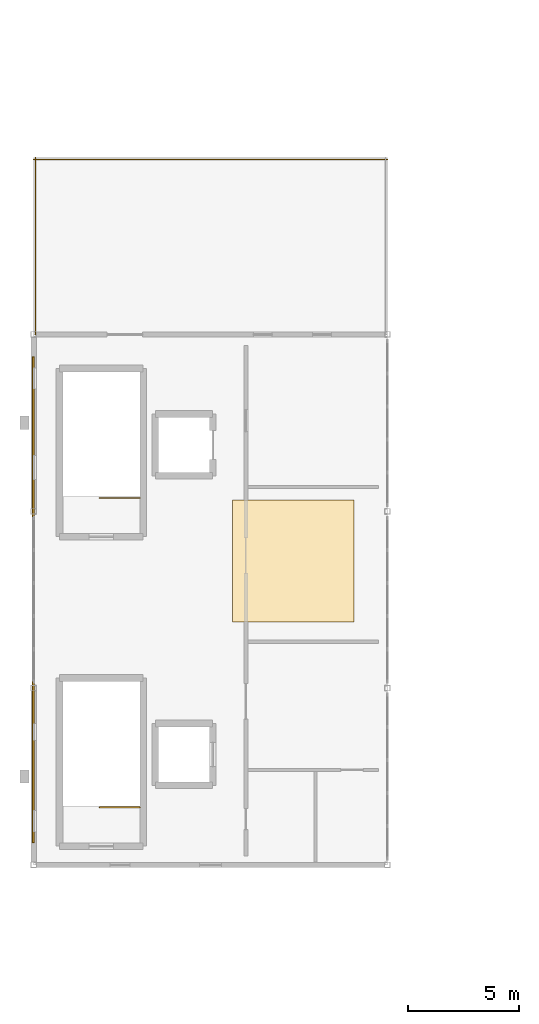
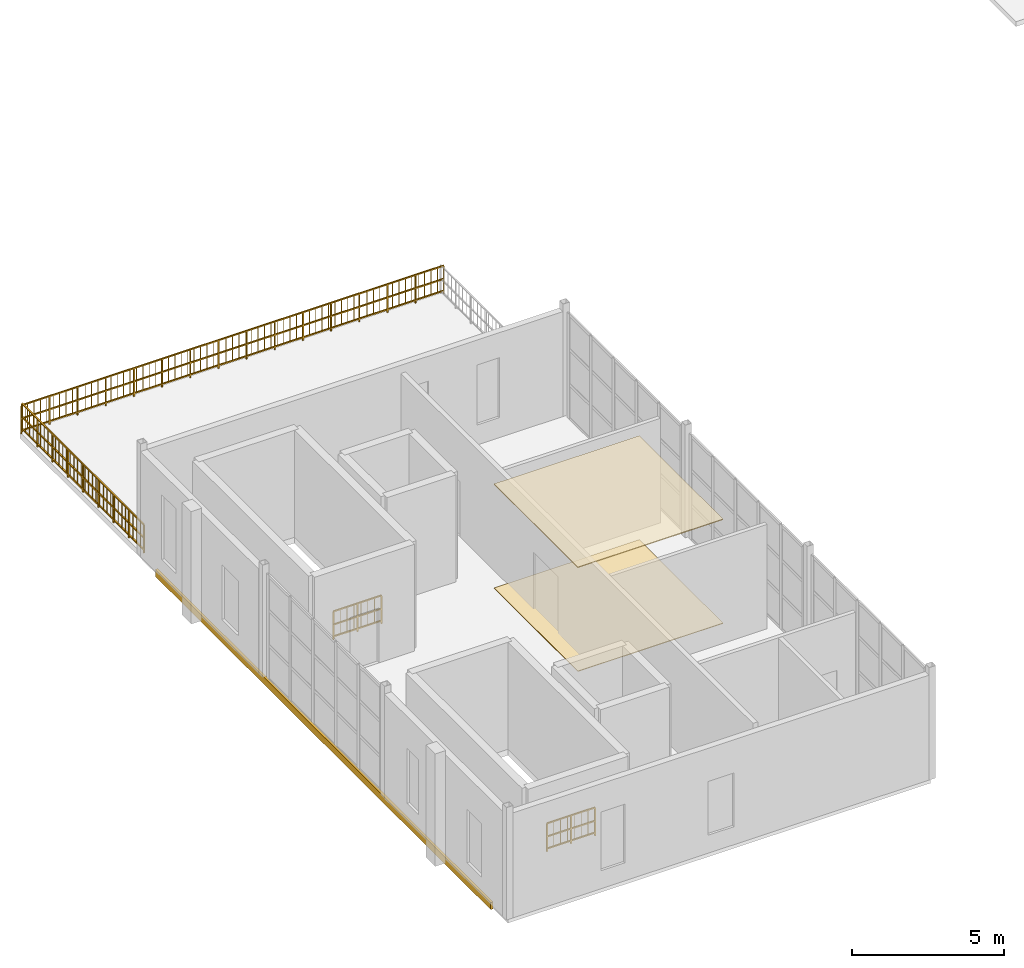
# One storey, part 8 of 9: 4 railings, 3 coverings.
"""IFC4 building model written with IfcOpenShell, lengths in metres."""

from ifc_helpers import new_model, si_unit, direction, frame, origin, origin_2d, place, context, subcontext, project, spatial, polyline, rectangle, outline, extrude, material, layer, layer_set, type_object, element, save


model = new_model("IFC4")

# Units and contexts
model_context = context("Model", 3, precision=1e-05, world=origin(), true_north=direction((0.0, 1.0)))
body_context = subcontext(model_context, "Body", "Model", "MODEL_VIEW")
ifc_project = project(units=[si_unit("LENGTHUNIT", "METRE"), si_unit("AREAUNIT", "SQUARE_METRE"), si_unit("VOLUMEUNIT", "CUBIC_METRE"), si_unit("PLANEANGLEUNIT", "RADIAN"), si_unit("MASSUNIT", "GRAM", prefix="KILO")], contexts=[model_context])

# Site, building, storey
site_placement = place(None, origin())
site = spatial("IfcSite", under=ifc_project, at=site_placement, CompositionType="ELEMENT")
building_placement = place(site_placement, origin())
building = spatial("IfcBuilding", under=site, at=building_placement, Name="Serraluz Foothill Cableway Terminal", CompositionType="ELEMENT")
storey_placement = place(building_placement, frame((0.0, 0.0, 19.800048828125)))
storey = spatial("IfcBuildingStorey", under=building, at=storey_placement, Name="L04", CompositionType="ELEMENT", Elevation=19.800048828125)

# Coverings
ifc_material_1 = material(Name="Perforated acoustic mineral and timber ceiling", Category="wood")
ifc_layer_1 = layer(ifc_material_1, 0.034912109375, Name="Perforated acoustic mineral and timber ceiling", Category="wood")
ifc_layer_set_1 = layer_set([ifc_layer_1], Name="Perforated acoustic mineral and timber ceiling")
covering_type_1 = type_object("IfcCoveringType", Name="TYP-COV-CEIL-35", PredefinedType="CEILING", material=ifc_layer_set_1)
covering_1_placement = place(storey_placement, frame((0.0, 0.0, 4.154052734375)))
element("IfcCovering", 1, at=covering_1_placement, inside=storey, type_object=covering_type_1, Name="Suspended Acoustic Ceiling 12", PredefinedType="CEILING", context=body_context, shape_type="SweptSolid", body=[
    extrude(outline(polyline([(9.0, 48.5), (14.5, 48.5), (14.5, 43.0), (9.0, 43.0), (9.0, 48.5)])), origin(), (0.0, 0.0, 1.0), 0.034912109375),
])
ifc_material_2 = material(Name="Fired clay masonry brick (f'm 12 MPa)", Category="masonry")
ifc_layer_2 = layer(ifc_material_2, 0.090087890625, Name="Fired clay masonry brick (f'm 12 MPa)", Category="masonry")
ifc_layer_set_2 = layer_set([ifc_layer_2], Name="Fired clay masonry brick (f'm 12 MPa)")
covering_type_2 = type_object("IfcCoveringType", Name="TYP-COV-CLAD-90", PredefinedType="CLADDING", material=ifc_layer_set_2)
covering_2_placement = place(storey_placement, frame((-0.030029296875, 44.0, -0.2802734375), z_axis=(0.0, 0.0, 1.0), x_axis=(0.0, 1.0, 0.0)))
element("IfcCovering", 2, at=covering_2_placement, inside=storey, type_object=covering_type_2, Name="Terracotta Spandrel Relief Band COV-CLAD-V5W-4", PredefinedType="CLADDING", context=body_context, shape_type="SweptSolid", body=[
    extrude(rectangle(XDim=22.0, YDim=0.090087890625, at=origin_2d()), origin(), (0.0, 0.0, 1.0), 0.280029296875),
])
ifc_material_3 = material(Name="Honed basalt and terrazzo floor finish", Category="masonry")
ifc_layer_3 = layer(ifc_material_3, 0.02490234375, Name="Honed basalt and terrazzo floor finish", Category="masonry")
ifc_layer_set_3 = layer_set([ifc_layer_3], Name="Honed basalt and terrazzo floor finish")
covering_type_3 = type_object("IfcCoveringType", Name="TYP-COV-FLR-25", PredefinedType="FLOORING", material=ifc_layer_set_3)
covering_3_placement = place(storey_placement, origin())
element("IfcCovering", 3, at=covering_3_placement, inside=storey, type_object=covering_type_3, Name="Terrazzo Concourse Flooring 12", PredefinedType="FLOORING", context=body_context, shape_type="SweptSolid", body=[
    extrude(outline(polyline([(9.0, 43.0), (14.5, 43.0), (14.5, 48.5), (9.0, 48.5), (9.0, 43.0)])), origin(), (0.0, 0.0, 1.0), 0.02490234375),
])

# Railings
ifc_material_4 = material(Name="Steel ASTM A572 Grade 50", Category="steel")
ifc_layer_4 = layer(ifc_material_4, 0.06005859375, Name="Steel ASTM A572 Grade 50", Category="steel")
ifc_layer_set_4 = layer_set([ifc_layer_4], Name="Steel ASTM A572 Grade 50")
railing_type_1 = type_object("IfcRailingType", Name="TYP-RL-BAL-1150", PredefinedType="BALUSTRADE", material=ifc_layer_set_4)
railing_1_placement = place(storey_placement, frame((16.0, 63.919921875, 0.0)))
element("IfcRailing", 4, at=railing_1_placement, inside=storey, type_object=railing_type_1, Name="BALUSTRADE BAL-TER-L04-V5-2", PredefinedType="BALUSTRADE", context=body_context, shape_type="SweptSolid", body=[
    extrude(rectangle(XDim=0.048095703125, YDim=0.048095703125, at=origin_2d()), frame((0.0, 0.0, 1.1259765625), z_axis=(-1.0, 0.0, 0.0), x_axis=(0.0, -1.0, 0.0)), (0.0, 0.0, 1.0), 16.0),
    extrude(rectangle(XDim=0.048095703125, YDim=0.048095703125, at=origin_2d()), frame((0.0, 0.0, 0.597900390625), z_axis=(-1.0, 0.0, 0.0), x_axis=(0.0, -1.0, 0.0)), (0.0, 0.0, 1.0), 16.0),
    extrude(rectangle(XDim=0.048095703125, YDim=0.048095703125, at=origin_2d()), frame((0.0, 0.0, 0.1201171875), z_axis=(-1.0, 0.0, 0.0), x_axis=(0.0, -1.0, 0.0)), (0.0, 0.0, 1.0), 16.0),
    extrude(rectangle(XDim=0.02001953125, YDim=0.02001953125, at=origin_2d()), frame((-0.242431640625, 0.0, 0.1201171875)), (0.0, 0.0, 1.0), 0.981689453125),
    extrude(rectangle(XDim=0.02001953125, YDim=0.02001953125, at=origin_2d()), frame((-0.48486328125, 0.0, 0.1201171875)), (0.0, 0.0, 1.0), 0.981689453125),
    extrude(rectangle(XDim=0.02001953125, YDim=0.02001953125, at=origin_2d()), frame((-0.727294921875, 0.0, 0.1201171875)), (0.0, 0.0, 1.0), 0.981689453125),
    extrude(rectangle(XDim=0.02001953125, YDim=0.02001953125, at=origin_2d()), frame((-0.9697265625, 0.0, 0.1201171875)), (0.0, 0.0, 1.0), 0.981689453125),
    extrude(rectangle(XDim=0.02001953125, YDim=0.02001953125, at=origin_2d()), frame((-1.212158203125, 0.0, 0.1201171875)), (0.0, 0.0, 1.0), 0.981689453125),
    extrude(rectangle(XDim=0.02001953125, YDim=0.02001953125, at=origin_2d()), frame((-1.45458984375, 0.0, 0.1201171875)), (0.0, 0.0, 1.0), 0.981689453125),
    extrude(rectangle(XDim=0.02001953125, YDim=0.02001953125, at=origin_2d()), frame((-1.697021484375, 0.0, 0.1201171875)), (0.0, 0.0, 1.0), 0.981689453125),
    extrude(rectangle(XDim=0.02001953125, YDim=0.02001953125, at=origin_2d()), frame((-1.939453125, 0.0, 0.1201171875)), (0.0, 0.0, 1.0), 0.981689453125),
    extrude(rectangle(XDim=0.02001953125, YDim=0.02001953125, at=origin_2d()), frame((-2.42431640625, 0.0, 0.1201171875)), (0.0, 0.0, 1.0), 0.981689453125),
    extrude(rectangle(XDim=0.02001953125, YDim=0.02001953125, at=origin_2d()), frame((-2.666748046875, 0.0, 0.1201171875)), (0.0, 0.0, 1.0), 0.981689453125),
    extrude(rectangle(XDim=0.02001953125, YDim=0.02001953125, at=origin_2d()), frame((-2.9091796875, 0.0, 0.1201171875)), (0.0, 0.0, 1.0), 0.981689453125),
    extrude(rectangle(XDim=0.02001953125, YDim=0.02001953125, at=origin_2d()), frame((-3.39404296875, 0.0, 0.1201171875)), (0.0, 0.0, 1.0), 0.981689453125),
    extrude(rectangle(XDim=0.02001953125, YDim=0.02001953125, at=origin_2d()), frame((-3.636474609375, 0.0, 0.1201171875)), (0.0, 0.0, 1.0), 0.981689453125),
    extrude(rectangle(XDim=0.02001953125, YDim=0.02001953125, at=origin_2d()), frame((-3.87890625, 0.0, 0.1201171875)), (0.0, 0.0, 1.0), 0.981689453125),
    extrude(rectangle(XDim=0.02001953125, YDim=0.02001953125, at=origin_2d()), frame((-4.12109375, 0.0, 0.1201171875)), (0.0, 0.0, 1.0), 0.981689453125),
    extrude(rectangle(XDim=0.02001953125, YDim=0.02001953125, at=origin_2d()), frame((-4.363525390625, 0.0, 0.1201171875)), (0.0, 0.0, 1.0), 0.981689453125),
    extrude(rectangle(XDim=0.02001953125, YDim=0.02001953125, at=origin_2d()), frame((-4.60595703125, 0.0, 0.1201171875)), (0.0, 0.0, 1.0), 0.981689453125),
    extrude(rectangle(XDim=0.02001953125, YDim=0.02001953125, at=origin_2d()), frame((-4.848388671875, 0.0, 0.1201171875)), (0.0, 0.0, 1.0), 0.981689453125),
    extrude(rectangle(XDim=0.02001953125, YDim=0.02001953125, at=origin_2d()), frame((-5.0908203125, 0.0, 0.1201171875)), (0.0, 0.0, 1.0), 0.981689453125),
    extrude(rectangle(XDim=0.02001953125, YDim=0.02001953125, at=origin_2d()), frame((-5.57568359375, 0.0, 0.1201171875)), (0.0, 0.0, 1.0), 0.981689453125),
    extrude(rectangle(XDim=0.02001953125, YDim=0.02001953125, at=origin_2d()), frame((-5.818115234375, 0.0, 0.1201171875)), (0.0, 0.0, 1.0), 0.981689453125),
    extrude(rectangle(XDim=0.02001953125, YDim=0.02001953125, at=origin_2d()), frame((-6.060546875, 0.0, 0.1201171875)), (0.0, 0.0, 1.0), 0.981689453125),
    extrude(rectangle(XDim=0.02001953125, YDim=0.02001953125, at=origin_2d()), frame((-6.302978515625, 0.0, 0.1201171875)), (0.0, 0.0, 1.0), 0.981689453125),
    extrude(rectangle(XDim=0.02001953125, YDim=0.02001953125, at=origin_2d()), frame((-6.54541015625, 0.0, 0.1201171875)), (0.0, 0.0, 1.0), 0.981689453125),
    extrude(rectangle(XDim=0.02001953125, YDim=0.02001953125, at=origin_2d()), frame((-6.787841796875, 0.0, 0.1201171875)), (0.0, 0.0, 1.0), 0.981689453125),
    extrude(rectangle(XDim=0.02001953125, YDim=0.02001953125, at=origin_2d()), frame((-7.0302734375, 0.0, 0.1201171875)), (0.0, 0.0, 1.0), 0.981689453125),
    extrude(rectangle(XDim=0.02001953125, YDim=0.02001953125, at=origin_2d()), frame((-7.272705078125, 0.0, 0.1201171875)), (0.0, 0.0, 1.0), 0.981689453125),
    extrude(rectangle(XDim=0.02001953125, YDim=0.02001953125, at=origin_2d()), frame((-7.757568359375, 0.0, 0.1201171875)), (0.0, 0.0, 1.0), 0.981689453125),
    extrude(rectangle(XDim=0.02001953125, YDim=0.02001953125, at=origin_2d()), frame((-8.0, 0.0, 0.1201171875)), (0.0, 0.0, 1.0), 0.981689453125),
    extrude(rectangle(XDim=0.02001953125, YDim=0.02001953125, at=origin_2d()), frame((-8.242431640625, 0.0, 0.1201171875)), (0.0, 0.0, 1.0), 0.981689453125),
    extrude(rectangle(XDim=0.02001953125, YDim=0.02001953125, at=origin_2d()), frame((-8.727294921875, 0.0, 0.1201171875)), (0.0, 0.0, 1.0), 0.981689453125),
    extrude(rectangle(XDim=0.02001953125, YDim=0.02001953125, at=origin_2d()), frame((-8.9697265625, 0.0, 0.1201171875)), (0.0, 0.0, 1.0), 0.981689453125),
    extrude(rectangle(XDim=0.02001953125, YDim=0.02001953125, at=origin_2d()), frame((-9.212158203125, 0.0, 0.1201171875)), (0.0, 0.0, 1.0), 0.981689453125),
    extrude(rectangle(XDim=0.02001953125, YDim=0.02001953125, at=origin_2d()), frame((-9.45458984375, 0.0, 0.1201171875)), (0.0, 0.0, 1.0), 0.981689453125),
    extrude(rectangle(XDim=0.02001953125, YDim=0.02001953125, at=origin_2d()), frame((-9.697021484375, 0.0, 0.1201171875)), (0.0, 0.0, 1.0), 0.981689453125),
    extrude(rectangle(XDim=0.02001953125, YDim=0.02001953125, at=origin_2d()), frame((-9.939453125, 0.0, 0.1201171875)), (0.0, 0.0, 1.0), 0.981689453125),
    extrude(rectangle(XDim=0.02001953125, YDim=0.02001953125, at=origin_2d()), frame((-10.181884765625, 0.0, 0.1201171875)), (0.0, 0.0, 1.0), 0.981689453125),
    extrude(rectangle(XDim=0.02001953125, YDim=0.02001953125, at=origin_2d()), frame((-10.42431640625, 0.0, 0.1201171875)), (0.0, 0.0, 1.0), 0.981689453125),
    extrude(rectangle(XDim=0.02001953125, YDim=0.02001953125, at=origin_2d()), frame((-10.9091796875, 0.0, 0.1201171875)), (0.0, 0.0, 1.0), 0.981689453125),
    extrude(rectangle(XDim=0.02001953125, YDim=0.02001953125, at=origin_2d()), frame((-11.151611328125, 0.0, 0.1201171875)), (0.0, 0.0, 1.0), 0.981689453125),
    extrude(rectangle(XDim=0.02001953125, YDim=0.02001953125, at=origin_2d()), frame((-11.39404296875, 0.0, 0.1201171875)), (0.0, 0.0, 1.0), 0.981689453125),
    extrude(rectangle(XDim=0.02001953125, YDim=0.02001953125, at=origin_2d()), frame((-11.636474609375, 0.0, 0.1201171875)), (0.0, 0.0, 1.0), 0.981689453125),
    extrude(rectangle(XDim=0.02001953125, YDim=0.02001953125, at=origin_2d()), frame((-11.87890625, 0.0, 0.1201171875)), (0.0, 0.0, 1.0), 0.981689453125),
    extrude(rectangle(XDim=0.02001953125, YDim=0.02001953125, at=origin_2d()), frame((-12.12109375, 0.0, 0.1201171875)), (0.0, 0.0, 1.0), 0.981689453125),
    extrude(rectangle(XDim=0.02001953125, YDim=0.02001953125, at=origin_2d()), frame((-12.363525390625, 0.0, 0.1201171875)), (0.0, 0.0, 1.0), 0.981689453125),
    extrude(rectangle(XDim=0.02001953125, YDim=0.02001953125, at=origin_2d()), frame((-12.60595703125, 0.0, 0.1201171875)), (0.0, 0.0, 1.0), 0.981689453125),
    extrude(rectangle(XDim=0.02001953125, YDim=0.02001953125, at=origin_2d()), frame((-13.0908203125, 0.0, 0.1201171875)), (0.0, 0.0, 1.0), 0.981689453125),
    extrude(rectangle(XDim=0.02001953125, YDim=0.02001953125, at=origin_2d()), frame((-13.333251953125, 0.0, 0.1201171875)), (0.0, 0.0, 1.0), 0.981689453125),
    extrude(rectangle(XDim=0.02001953125, YDim=0.02001953125, at=origin_2d()), frame((-13.57568359375, 0.0, 0.1201171875)), (0.0, 0.0, 1.0), 0.981689453125),
    extrude(rectangle(XDim=0.02001953125, YDim=0.02001953125, at=origin_2d()), frame((-14.060546875, 0.0, 0.1201171875)), (0.0, 0.0, 1.0), 0.981689453125),
    extrude(rectangle(XDim=0.02001953125, YDim=0.02001953125, at=origin_2d()), frame((-14.302978515625, 0.0, 0.1201171875)), (0.0, 0.0, 1.0), 0.981689453125),
    extrude(rectangle(XDim=0.02001953125, YDim=0.02001953125, at=origin_2d()), frame((-14.54541015625, 0.0, 0.1201171875)), (0.0, 0.0, 1.0), 0.981689453125),
    extrude(rectangle(XDim=0.02001953125, YDim=0.02001953125, at=origin_2d()), frame((-14.787841796875, 0.0, 0.1201171875)), (0.0, 0.0, 1.0), 0.981689453125),
    extrude(rectangle(XDim=0.02001953125, YDim=0.02001953125, at=origin_2d()), frame((-15.0302734375, 0.0, 0.1201171875)), (0.0, 0.0, 1.0), 0.981689453125),
    extrude(rectangle(XDim=0.02001953125, YDim=0.02001953125, at=origin_2d()), frame((-15.272705078125, 0.0, 0.1201171875)), (0.0, 0.0, 1.0), 0.981689453125),
    extrude(rectangle(XDim=0.02001953125, YDim=0.02001953125, at=origin_2d()), frame((-15.51513671875, 0.0, 0.1201171875)), (0.0, 0.0, 1.0), 0.981689453125),
    extrude(rectangle(XDim=0.02001953125, YDim=0.02001953125, at=origin_2d()), frame((-15.757568359375, 0.0, 0.1201171875)), (0.0, 0.0, 1.0), 0.981689453125),
    extrude(rectangle(XDim=0.0439453125, YDim=0.0439453125, at=origin_2d()), origin(), (0.0, 0.0, 1.0), 1.101806640625),
    extrude(rectangle(XDim=0.0439453125, YDim=0.0439453125, at=origin_2d()), frame((-1.066650390625, 0.0, 0.0)), (0.0, 0.0, 1.0), 1.101806640625),
    extrude(rectangle(XDim=0.0439453125, YDim=0.0439453125, at=origin_2d()), frame((-2.13330078125, 0.0, 0.0)), (0.0, 0.0, 1.0), 1.101806640625),
    extrude(rectangle(XDim=0.0439453125, YDim=0.0439453125, at=origin_2d()), frame((-3.199951171875, 0.0, 0.0)), (0.0, 0.0, 1.0), 1.101806640625),
    extrude(rectangle(XDim=0.0439453125, YDim=0.0439453125, at=origin_2d()), frame((-4.2666015625, 0.0, 0.0)), (0.0, 0.0, 1.0), 1.101806640625),
    extrude(rectangle(XDim=0.0439453125, YDim=0.0439453125, at=origin_2d()), frame((-5.333251953125, 0.0, 0.0)), (0.0, 0.0, 1.0), 1.101806640625),
    extrude(rectangle(XDim=0.0439453125, YDim=0.0439453125, at=origin_2d()), frame((-6.39990234375, 0.0, 0.0)), (0.0, 0.0, 1.0), 1.101806640625),
    extrude(rectangle(XDim=0.0439453125, YDim=0.0439453125, at=origin_2d()), frame((-7.466552734375, 0.0, 0.0)), (0.0, 0.0, 1.0), 1.101806640625),
    extrude(rectangle(XDim=0.0439453125, YDim=0.0439453125, at=origin_2d()), frame((-8.533447265625, 0.0, 0.0)), (0.0, 0.0, 1.0), 1.101806640625),
    extrude(rectangle(XDim=0.0439453125, YDim=0.0439453125, at=origin_2d()), frame((-9.60009765625, 0.0, 0.0)), (0.0, 0.0, 1.0), 1.101806640625),
    extrude(rectangle(XDim=0.0439453125, YDim=0.0439453125, at=origin_2d()), frame((-10.666748046875, 0.0, 0.0)), (0.0, 0.0, 1.0), 1.101806640625),
    extrude(rectangle(XDim=0.0439453125, YDim=0.0439453125, at=origin_2d()), frame((-11.7333984375, 0.0, 0.0)), (0.0, 0.0, 1.0), 1.101806640625),
    extrude(rectangle(XDim=0.0439453125, YDim=0.0439453125, at=origin_2d()), frame((-12.800048828125, 0.0, 0.0)), (0.0, 0.0, 1.0), 1.101806640625),
    extrude(rectangle(XDim=0.0439453125, YDim=0.0439453125, at=origin_2d()), frame((-13.86669921875, 0.0, 0.0)), (0.0, 0.0, 1.0), 1.101806640625),
    extrude(rectangle(XDim=0.0439453125, YDim=0.0439453125, at=origin_2d()), frame((-14.933349609375, 0.0, 0.0)), (0.0, 0.0, 1.0), 1.101806640625),
    extrude(rectangle(XDim=0.0439453125, YDim=0.0439453125, at=origin_2d()), frame((-16.0, 0.0, 0.0)), (0.0, 0.0, 1.0), 1.101806640625),
])
railing_2_placement = place(storey_placement, frame((0.080078125, 64.0, 0.0)))
element("IfcRailing", 5, at=railing_2_placement, inside=storey, type_object=railing_type_1, Name="BALUSTRADE BAL-TER-L04-V5-3", PredefinedType="BALUSTRADE", context=body_context, shape_type="SweptSolid", body=[
    extrude(rectangle(XDim=0.048095703125, YDim=0.048095703125, at=origin_2d()), frame((0.0, 0.0, 1.1259765625), z_axis=(0.0, -1.0, 0.0), x_axis=(1.0, 0.0, 0.0)), (0.0, 0.0, 1.0), 8.0),
    extrude(rectangle(XDim=0.048095703125, YDim=0.048095703125, at=origin_2d()), frame((0.0, 0.0, 0.597900390625), z_axis=(0.0, -1.0, 0.0), x_axis=(1.0, 0.0, 0.0)), (0.0, 0.0, 1.0), 8.0),
    extrude(rectangle(XDim=0.048095703125, YDim=0.048095703125, at=origin_2d()), frame((0.0, 0.0, 0.1201171875), z_axis=(0.0, -1.0, 0.0), x_axis=(1.0, 0.0, 0.0)), (0.0, 0.0, 1.0), 8.0),
    extrude(rectangle(XDim=0.02001953125, YDim=0.02001953125, at=origin_2d()), frame((0.0, -0.242431640625, 0.1201171875)), (0.0, 0.0, 1.0), 0.981689453125),
    extrude(rectangle(XDim=0.02001953125, YDim=0.02001953125, at=origin_2d()), frame((0.0, -0.48486328125, 0.1201171875)), (0.0, 0.0, 1.0), 0.981689453125),
    extrude(rectangle(XDim=0.02001953125, YDim=0.02001953125, at=origin_2d()), frame((0.0, -0.727294921875, 0.1201171875)), (0.0, 0.0, 1.0), 0.981689453125),
    extrude(rectangle(XDim=0.02001953125, YDim=0.02001953125, at=origin_2d()), frame((0.0, -1.212158203125, 0.1201171875)), (0.0, 0.0, 1.0), 0.981689453125),
    extrude(rectangle(XDim=0.02001953125, YDim=0.02001953125, at=origin_2d()), frame((0.0, -1.45458984375, 0.1201171875)), (0.0, 0.0, 1.0), 0.981689453125),
    extrude(rectangle(XDim=0.02001953125, YDim=0.02001953125, at=origin_2d()), frame((0.0, -1.697021484375, 0.1201171875)), (0.0, 0.0, 1.0), 0.981689453125),
    extrude(rectangle(XDim=0.02001953125, YDim=0.02001953125, at=origin_2d()), frame((0.0, -1.939453125, 0.1201171875)), (0.0, 0.0, 1.0), 0.981689453125),
    extrude(rectangle(XDim=0.02001953125, YDim=0.02001953125, at=origin_2d()), frame((0.0, -2.181884765625, 0.1201171875)), (0.0, 0.0, 1.0), 0.981689453125),
    extrude(rectangle(XDim=0.02001953125, YDim=0.02001953125, at=origin_2d()), frame((0.0, -2.42431640625, 0.1201171875)), (0.0, 0.0, 1.0), 0.981689453125),
    extrude(rectangle(XDim=0.02001953125, YDim=0.02001953125, at=origin_2d()), frame((0.0, -2.666748046875, 0.1201171875)), (0.0, 0.0, 1.0), 0.981689453125),
    extrude(rectangle(XDim=0.02001953125, YDim=0.02001953125, at=origin_2d()), frame((0.0, -2.9091796875, 0.1201171875)), (0.0, 0.0, 1.0), 0.981689453125),
    extrude(rectangle(XDim=0.02001953125, YDim=0.02001953125, at=origin_2d()), frame((0.0, -3.151611328125, 0.1201171875)), (0.0, 0.0, 1.0), 0.981689453125),
    extrude(rectangle(XDim=0.02001953125, YDim=0.02001953125, at=origin_2d()), frame((0.0, -3.39404296875, 0.1201171875)), (0.0, 0.0, 1.0), 0.981689453125),
    extrude(rectangle(XDim=0.02001953125, YDim=0.02001953125, at=origin_2d()), frame((0.0, -3.636474609375, 0.1201171875)), (0.0, 0.0, 1.0), 0.981689453125),
    extrude(rectangle(XDim=0.02001953125, YDim=0.02001953125, at=origin_2d()), frame((0.0, -3.87890625, 0.1201171875)), (0.0, 0.0, 1.0), 0.981689453125),
    extrude(rectangle(XDim=0.02001953125, YDim=0.02001953125, at=origin_2d()), frame((0.0, -4.12109375, 0.1201171875)), (0.0, 0.0, 1.0), 0.981689453125),
    extrude(rectangle(XDim=0.02001953125, YDim=0.02001953125, at=origin_2d()), frame((0.0, -4.363525390625, 0.1201171875)), (0.0, 0.0, 1.0), 0.981689453125),
    extrude(rectangle(XDim=0.02001953125, YDim=0.02001953125, at=origin_2d()), frame((0.0, -4.60595703125, 0.1201171875)), (0.0, 0.0, 1.0), 0.981689453125),
    extrude(rectangle(XDim=0.02001953125, YDim=0.02001953125, at=origin_2d()), frame((0.0, -4.848388671875, 0.1201171875)), (0.0, 0.0, 1.0), 0.981689453125),
    extrude(rectangle(XDim=0.02001953125, YDim=0.02001953125, at=origin_2d()), frame((0.0, -5.0908203125, 0.1201171875)), (0.0, 0.0, 1.0), 0.981689453125),
    extrude(rectangle(XDim=0.02001953125, YDim=0.02001953125, at=origin_2d()), frame((0.0, -5.333251953125, 0.1201171875)), (0.0, 0.0, 1.0), 0.981689453125),
    extrude(rectangle(XDim=0.02001953125, YDim=0.02001953125, at=origin_2d()), frame((0.0, -5.57568359375, 0.1201171875)), (0.0, 0.0, 1.0), 0.981689453125),
    extrude(rectangle(XDim=0.02001953125, YDim=0.02001953125, at=origin_2d()), frame((0.0, -5.818115234375, 0.1201171875)), (0.0, 0.0, 1.0), 0.981689453125),
    extrude(rectangle(XDim=0.02001953125, YDim=0.02001953125, at=origin_2d()), frame((0.0, -6.060546875, 0.1201171875)), (0.0, 0.0, 1.0), 0.981689453125),
    extrude(rectangle(XDim=0.02001953125, YDim=0.02001953125, at=origin_2d()), frame((0.0, -6.302978515625, 0.1201171875)), (0.0, 0.0, 1.0), 0.981689453125),
    extrude(rectangle(XDim=0.02001953125, YDim=0.02001953125, at=origin_2d()), frame((0.0, -6.54541015625, 0.1201171875)), (0.0, 0.0, 1.0), 0.981689453125),
    extrude(rectangle(XDim=0.02001953125, YDim=0.02001953125, at=origin_2d()), frame((0.0, -6.787841796875, 0.1201171875)), (0.0, 0.0, 1.0), 0.981689453125),
    extrude(rectangle(XDim=0.02001953125, YDim=0.02001953125, at=origin_2d()), frame((0.0, -7.272705078125, 0.1201171875)), (0.0, 0.0, 1.0), 0.981689453125),
    extrude(rectangle(XDim=0.02001953125, YDim=0.02001953125, at=origin_2d()), frame((0.0, -7.51513671875, 0.1201171875)), (0.0, 0.0, 1.0), 0.981689453125),
    extrude(rectangle(XDim=0.02001953125, YDim=0.02001953125, at=origin_2d()), frame((0.0, -7.757568359375, 0.1201171875)), (0.0, 0.0, 1.0), 0.981689453125),
    extrude(rectangle(XDim=0.0439453125, YDim=0.0439453125, at=origin_2d()), origin(), (0.0, 0.0, 1.0), 1.101806640625),
    extrude(rectangle(XDim=0.0439453125, YDim=0.0439453125, at=origin_2d()), frame((0.0, -1.0, 0.0)), (0.0, 0.0, 1.0), 1.101806640625),
    extrude(rectangle(XDim=0.0439453125, YDim=0.0439453125, at=origin_2d()), frame((0.0, -2.0, 0.0)), (0.0, 0.0, 1.0), 1.101806640625),
    extrude(rectangle(XDim=0.0439453125, YDim=0.0439453125, at=origin_2d()), frame((0.0, -3.0, 0.0)), (0.0, 0.0, 1.0), 1.101806640625),
    extrude(rectangle(XDim=0.0439453125, YDim=0.0439453125, at=origin_2d()), frame((0.0, -4.0, 0.0)), (0.0, 0.0, 1.0), 1.101806640625),
    extrude(rectangle(XDim=0.0439453125, YDim=0.0439453125, at=origin_2d()), frame((0.0, -5.0, 0.0)), (0.0, 0.0, 1.0), 1.101806640625),
    extrude(rectangle(XDim=0.0439453125, YDim=0.0439453125, at=origin_2d()), frame((0.0, -6.0, 0.0)), (0.0, 0.0, 1.0), 1.101806640625),
    extrude(rectangle(XDim=0.0439453125, YDim=0.0439453125, at=origin_2d()), frame((0.0, -7.0, 0.0)), (0.0, 0.0, 1.0), 1.101806640625),
    extrude(rectangle(XDim=0.0439453125, YDim=0.0439453125, at=origin_2d()), frame((0.0, -8.0, 0.0)), (0.0, 0.0, 1.0), 1.101806640625),
])
ifc_layer_5 = layer(ifc_material_4, 0.054931640625, Name="Steel ASTM A572 Grade 50", Category="steel")
ifc_layer_set_5 = layer_set([ifc_layer_5], Name="Steel ASTM A572 Grade 50")
railing_type_2 = type_object("IfcRailingType", Name="TYP-RL-GRD-1150", PredefinedType="GUARDRAIL", material=ifc_layer_set_5)
railing_3_placement = place(storey_placement, frame((4.800048828125, 48.610107421875, 0.0)))
element("IfcRailing", 6, at=railing_3_placement, inside=storey, type_object=railing_type_2, Name="L04 ST-01 top well guard 1", PredefinedType="GUARDRAIL", context=body_context, shape_type="SweptSolid", body=[
    extrude(rectangle(XDim=0.048095703125, YDim=0.048095703125, at=origin_2d()), frame((0.0, 0.0, 1.1259765625), z_axis=(-1.0, 0.0, 0.0), x_axis=(0.0, -1.0, 0.0)), (0.0, 0.0, 1.0), 1.820068359375),
    extrude(rectangle(XDim=0.048095703125, YDim=0.048095703125, at=origin_2d()), frame((0.0, 0.0, 0.597900390625), z_axis=(-1.0, 0.0, 0.0), x_axis=(0.0, -1.0, 0.0)), (0.0, 0.0, 1.0), 1.820068359375),
    extrude(rectangle(XDim=0.048095703125, YDim=0.048095703125, at=origin_2d()), frame((0.0, 0.0, 0.1201171875), z_axis=(-1.0, 0.0, 0.0), x_axis=(0.0, -1.0, 0.0)), (0.0, 0.0, 1.0), 1.820068359375),
    extrude(rectangle(XDim=0.02001953125, YDim=0.02001953125, at=origin_2d()), frame((-0.260009765625, 0.0, 0.1201171875)), (0.0, 0.0, 1.0), 0.981689453125),
    extrude(rectangle(XDim=0.02001953125, YDim=0.02001953125, at=origin_2d()), frame((-0.52001953125, 0.0, 0.1201171875)), (0.0, 0.0, 1.0), 0.981689453125),
    extrude(rectangle(XDim=0.02001953125, YDim=0.02001953125, at=origin_2d()), frame((-0.780029296875, 0.0, 0.1201171875)), (0.0, 0.0, 1.0), 0.981689453125),
    extrude(rectangle(XDim=0.02001953125, YDim=0.02001953125, at=origin_2d()), frame((-1.0400390625, 0.0, 0.1201171875)), (0.0, 0.0, 1.0), 0.981689453125),
    extrude(rectangle(XDim=0.02001953125, YDim=0.02001953125, at=origin_2d()), frame((-1.300048828125, 0.0, 0.1201171875)), (0.0, 0.0, 1.0), 0.981689453125),
    extrude(rectangle(XDim=0.02001953125, YDim=0.02001953125, at=origin_2d()), frame((-1.56005859375, 0.0, 0.1201171875)), (0.0, 0.0, 1.0), 0.981689453125),
    extrude(rectangle(XDim=0.0439453125, YDim=0.0439453125, at=origin_2d()), origin(), (0.0, 0.0, 1.0), 1.101806640625),
    extrude(rectangle(XDim=0.0439453125, YDim=0.0439453125, at=origin_2d()), frame((-0.91015625, 0.0, 0.0)), (0.0, 0.0, 1.0), 1.101806640625),
    extrude(rectangle(XDim=0.0439453125, YDim=0.0439453125, at=origin_2d()), frame((-1.820068359375, 0.0, 0.0)), (0.0, 0.0, 1.0), 1.101806640625),
])
railing_4_placement = place(storey_placement, frame((4.800048828125, 34.610107421875, 0.0)))
element("IfcRailing", 7, at=railing_4_placement, inside=storey, type_object=railing_type_2, Name="L04 ST-02 top well guard 1", PredefinedType="GUARDRAIL", context=body_context, shape_type="SweptSolid", body=[
    extrude(rectangle(XDim=0.048095703125, YDim=0.048095703125, at=origin_2d()), frame((0.0, 0.0, 1.1259765625), z_axis=(-1.0, 0.0, 0.0), x_axis=(0.0, -1.0, 0.0)), (0.0, 0.0, 1.0), 1.820068359375),
    extrude(rectangle(XDim=0.048095703125, YDim=0.048095703125, at=origin_2d()), frame((0.0, 0.0, 0.597900390625), z_axis=(-1.0, 0.0, 0.0), x_axis=(0.0, -1.0, 0.0)), (0.0, 0.0, 1.0), 1.820068359375),
    extrude(rectangle(XDim=0.048095703125, YDim=0.048095703125, at=origin_2d()), frame((0.0, 0.0, 0.1201171875), z_axis=(-1.0, 0.0, 0.0), x_axis=(0.0, -1.0, 0.0)), (0.0, 0.0, 1.0), 1.820068359375),
    extrude(rectangle(XDim=0.02001953125, YDim=0.02001953125, at=origin_2d()), frame((-0.260009765625, 0.0, 0.1201171875)), (0.0, 0.0, 1.0), 0.981689453125),
    extrude(rectangle(XDim=0.02001953125, YDim=0.02001953125, at=origin_2d()), frame((-0.52001953125, 0.0, 0.1201171875)), (0.0, 0.0, 1.0), 0.981689453125),
    extrude(rectangle(XDim=0.02001953125, YDim=0.02001953125, at=origin_2d()), frame((-0.780029296875, 0.0, 0.1201171875)), (0.0, 0.0, 1.0), 0.981689453125),
    extrude(rectangle(XDim=0.02001953125, YDim=0.02001953125, at=origin_2d()), frame((-1.0400390625, 0.0, 0.1201171875)), (0.0, 0.0, 1.0), 0.981689453125),
    extrude(rectangle(XDim=0.02001953125, YDim=0.02001953125, at=origin_2d()), frame((-1.300048828125, 0.0, 0.1201171875)), (0.0, 0.0, 1.0), 0.981689453125),
    extrude(rectangle(XDim=0.02001953125, YDim=0.02001953125, at=origin_2d()), frame((-1.56005859375, 0.0, 0.1201171875)), (0.0, 0.0, 1.0), 0.981689453125),
    extrude(rectangle(XDim=0.0439453125, YDim=0.0439453125, at=origin_2d()), origin(), (0.0, 0.0, 1.0), 1.101806640625),
    extrude(rectangle(XDim=0.0439453125, YDim=0.0439453125, at=origin_2d()), frame((-0.91015625, 0.0, 0.0)), (0.0, 0.0, 1.0), 1.101806640625),
    extrude(rectangle(XDim=0.0439453125, YDim=0.0439453125, at=origin_2d()), frame((-1.820068359375, 0.0, 0.0)), (0.0, 0.0, 1.0), 1.101806640625),
])

save(model, "model.ifc")
